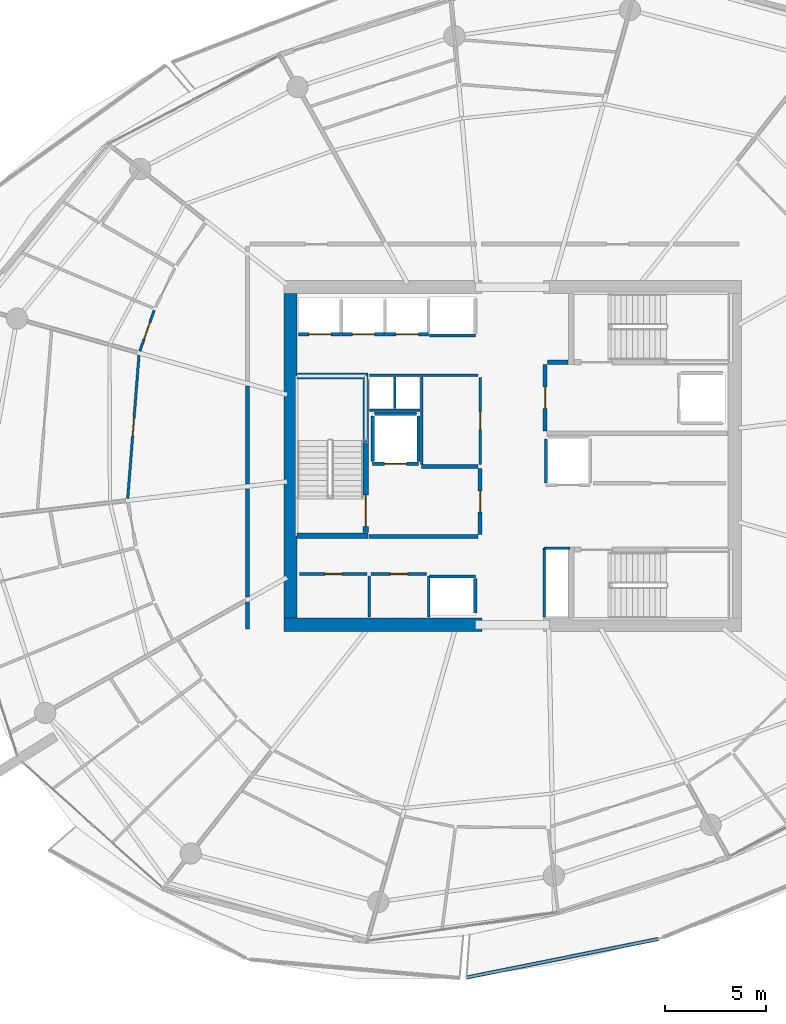
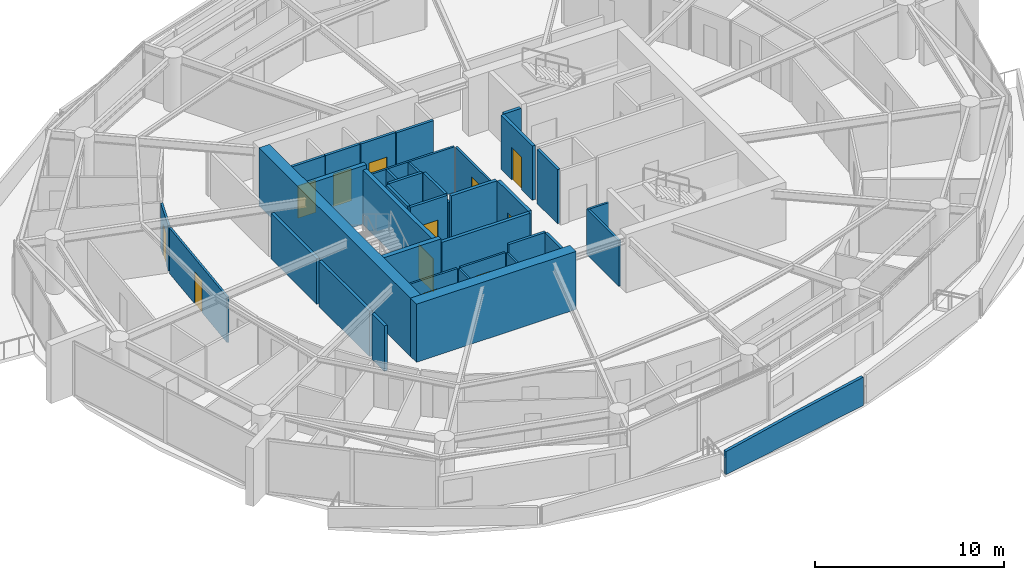
# One storey, part 12 of 21: 38 walls, 12 doors, 12 openings.
"""IFC4 building model written with IfcOpenShell, lengths in metres."""

from ifc_helpers import new_model, si_unit, direction, frame, frame_2d, origin, place, context, subcontext, project, spatial, polyline, rectangle, outline, extrude, material, layer, layer_set, type_object, element, fill, save


model = new_model("IFC4")

# Units and contexts
model_context = context("Model", 3, precision=1e-05, world=origin(), true_north=direction((0.0, 1.0)))
body_context = subcontext(model_context, "Body", "Model", "MODEL_VIEW")
ifc_project = project(units=[si_unit("LENGTHUNIT", "METRE"), si_unit("AREAUNIT", "SQUARE_METRE"), si_unit("VOLUMEUNIT", "CUBIC_METRE"), si_unit("PLANEANGLEUNIT", "RADIAN"), si_unit("MASSUNIT", "GRAM", prefix="KILO")], contexts=[model_context])

# Site, building, storey
site_placement = place(None, origin())
site = spatial("IfcSite", under=ifc_project, at=site_placement, CompositionType="ELEMENT")
building_placement = place(site_placement, origin())
building = spatial("IfcBuilding", under=site, at=building_placement, Name="Kazma Halo Residences", CompositionType="ELEMENT")
storey_placement = place(building_placement, frame((0.0, 0.0, 195.300048828125)))
storey = spatial("IfcBuildingStorey", under=building, at=storey_placement, Name="L49", CompositionType="ELEMENT", Elevation=195.300048828125)

# Walls
ifc_material_1 = material(Name="White Concrete C50/60 Balustrade", Category="concrete")
ifc_layer_1 = layer(ifc_material_1, 0.179931640625)
ifc_layer_set_1 = layer_set([ifc_layer_1], Name="White Concrete C50/60 Balustrade")
wall_type_1 = type_object("IfcWallType", Name="WL-BAL-WAVE-180", PredefinedType="PARAPET", material=ifc_layer_set_1)
wall_1_placement = place(storey_placement, frame((46.1337890625, 16.279296875, 0.0), z_axis=(0.0, 0.0, 1.0), x_axis=(0.980371313285, 0.197160057028, 0.0)))
element("IfcWall", 1, at=wall_1_placement, inside=storey, type_object=wall_type_1, Name="L49 white wave balustrade wall SSE.1", PredefinedType="PARAPET", context=body_context, shape_type="SweptSolid", body=[
    extrude(outline(polyline([(0.0, 0.0), (9.66845703125, 0.0), (9.66845703125, 1.83203125), (4.834228515625, 1.696044921875), (0.0, 1.4970703125), (0.0, 0.0)])), frame((0.0, 0.08984375, 0.0), z_axis=(0.0, -1.0, 0.0), x_axis=(1.0, 0.0, 0.0)), (0.0, 0.0, 1.0), 0.179931640625),
])
ifc_material_2 = material(Name="Concrete C60/75", Category="concrete")
ifc_layer_2 = layer(ifc_material_2, 0.64990234375)
ifc_layer_set_2 = layer_set([ifc_layer_2], Name="Concrete C60/75")
wall_type_2 = type_object("IfcWallType", Name="WL-CORE-650", PredefinedType="SHEAR", material=ifc_layer_set_2)
wall_2_placement = place(storey_placement, frame((37.14990234375, 33.675048828125, 0.0), z_axis=(0.0, 0.0, 1.0), x_axis=(1.0, 0.0, 0.0)))
element("IfcWall", 2, at=wall_2_placement, inside=storey, type_object=wall_type_2, Name="L49 central core shear wall SW", PredefinedType="SHEAR", context=body_context, shape_type="SweptSolid", body=[
    extrude(rectangle(XDim=9.75, YDim=0.64990234375, at=frame_2d((4.875, 0.0))), origin(), (0.0, 0.0, 1.0), 3.75),
])
wall_3_placement = place(storey_placement, frame((37.47509765625, 34.0, 0.0), z_axis=(0.0, 0.0, 1.0), x_axis=(0.0, 1.0, 0.0)))
element("IfcWall", 3, at=wall_3_placement, inside=storey, type_object=wall_type_2, Name="L49 central core shear wall W", PredefinedType="SHEAR", context=body_context, shape_type="SweptSolid", body=[
    extrude(rectangle(XDim=16.0, YDim=0.64990234375, at=frame_2d((8.0, 0.0))), origin(), (0.0, 0.0, 1.0), 3.75),
])
ifc_layer_3 = layer(ifc_material_2, 0.280029296875)
ifc_layer_set_3 = layer_set([ifc_layer_3], Name="Concrete C60/75")
wall_type_3 = type_object("IfcWallType", Name="WL-CORE-ST-280", PredefinedType="SHEAR", material=ifc_layer_set_3)
for number, where, z_axis, x_axis, name in (
    (4, (37.800048828125, 38.06005859375, 0.0), (0.0, 0.0, 1.0), (1.0, 0.0, 0.0), "L49 stairwell bearing wall ST01-S"),
    (5, (37.800048828125, 45.93994140625, 0.0), (0.0, 0.0, 1.0), (1.0, 0.0, 0.0), "L49 stairwell bearing wall ST01-N"),
):
    element("IfcWall", number, at=place(storey_placement, frame(where, z_axis=z_axis, x_axis=x_axis)), inside=storey, type_object=wall_type_3, Name=name, PredefinedType="SHEAR", context=body_context, shape_type="SweptSolid", body=[
        extrude(rectangle(XDim=3.5, YDim=0.280029296875, at=frame_2d((1.75, 0.0))), origin(), (0.0, 0.0, 1.0), 3.75),
    ])
ifc_material_3 = material(Name="Acoustic Twin-Stud Gypsum")
ifc_layer_4 = layer(ifc_material_3, 0.179931640625)
ifc_layer_set_4 = layer_set([ifc_layer_4], Name="Acoustic Twin-Stud Gypsum")
wall_type_4 = type_object("IfcWallType", Name="WL-DEM-180", PredefinedType="PARTITIONING", material=ifc_layer_set_4)
wall_4_placement = place(storey_placement, frame((35.35009765625, 45.44775390625, 0.0), z_axis=(0.0, 0.0, 1.0), x_axis=(0.0, -1.0, 0.0)))
element("IfcWall", 6, at=wall_4_placement, inside=storey, type_object=wall_type_4, Name="L49 Apartment 1 inner wall 6", PredefinedType="PARTITIONING", context=body_context, shape_type="SweptSolid", body=[
    extrude(rectangle(XDim=4.824951171875, YDim=0.179931640625, at=frame_2d((2.41259765625, 0.0))), origin(), (0.0, 0.0, 1.0), 2.93994140625),
])
wall_5_placement = place(storey_placement, frame((35.35009765625, 40.3828125, 0.0), z_axis=(0.0, 0.0, 1.0), x_axis=(0.0, -1.0, 0.0)))
element("IfcWall", 7, at=wall_5_placement, inside=storey, type_object=wall_type_4, Name="L49 Apartment 1 inner wall 7", PredefinedType="PARTITIONING", context=body_context, shape_type="SweptSolid", body=[
    extrude(rectangle(XDim=5.34716796875, YDim=0.179931640625, at=frame_2d((2.673583984375, 0.0))), origin(), (0.0, 0.0, 1.0), 2.93994140625),
])
wall_6_placement = place(storey_placement, frame((35.35009765625, 34.795654296875, 0.0), z_axis=(0.0, 0.0, 1.0), x_axis=(0.0, -1.0, 0.0)))
element("IfcWall", 8, at=wall_6_placement, inside=storey, type_object=wall_type_4, Name="L49 Apartment 2 inner wall 8", PredefinedType="PARTITIONING", context=body_context, shape_type="SweptSolid", body=[
    extrude(rectangle(XDim=1.32568359375, YDim=0.179931640625, at=frame_2d((0.662841796875, 0.0))), origin(), (0.0, 0.0, 1.0), 2.93994140625),
])

# Wall, opening, door
ifc_material_4 = material(Name="Fire-Rated Blockwork Masonry", Category="masonry")
ifc_layer_5 = layer(ifc_material_4, 0.199951171875)
ifc_layer_set_5 = layer_set([ifc_layer_5], Name="Fire-Rated Blockwork Masonry")
wall_type_5 = type_object("IfcWallType", Name="WL-FLB-200", PredefinedType="PARTITIONING", material=ifc_layer_set_5)
wall_7_placement = place(storey_placement, frame((39.97509765625, 47.9951171875, 0.0), z_axis=(0.0, 0.0, 1.0), x_axis=(-1.0, 0.0, 0.0)))
wall_7 = element("IfcWall", 9, at=wall_7_placement, inside=storey, type_object=wall_type_5, Name="L49 lift shaft PM-01 front wall", PredefinedType="PARTITIONING", context=body_context, shape_type="SweptSolid", body=[
    extrude(rectangle(XDim=2.110107421875, YDim=0.159912109375, at=frame_2d((1.05517578125, 0.0))), origin(), (0.0, 0.0, 1.0), 3.5),
])
opening_1_placement = place(wall_7_placement, frame((0.5048828125, 0.0, 0.0)))
opening_1 = element("IfcOpeningElement", 10, at=opening_1_placement, cuts=wall_7, Name="Opening LD-PM-01", PredefinedType="OPENING", context=body_context, shape_type="SweptSolid", body=[
    extrude(rectangle(XDim=1.10009765625, YDim=2.10009765625, at=frame_2d((0.550048828125, 1.050048828125))), frame((0.0, 0.08984375, 0.0), z_axis=(0.0, -1.0, 0.0), x_axis=(1.0, 0.0, 0.0)), (0.0, 0.0, 1.0), 0.179931640625),
])
ifc_material_5 = material(Name="Stainless Steel Fire-Rated", Category="steel")
door_type_1 = type_object("IfcDoorType", Name="DR-LIFT-SLD-1100", OperationType="DOUBLE_DOOR_SLIDING", PredefinedType="DOOR", material=ifc_material_5)
door_1_placement = place(opening_1_placement, origin())
door_1 = element("IfcDoor", 11, at=door_1_placement, inside=storey, type_object=door_type_1, Name="L49 lift PM-01 sliding landing door", OperationType="DOUBLE_DOOR_SLIDING", OverallHeight=2.10009765625, OverallWidth=1.10009765625, PredefinedType="DOOR", context=body_context, shape_type="SweptSolid", body=[
    extrude(rectangle(XDim=1.10009765625, YDim=2.10009765625, at=frame_2d((0.550048828125, 1.050048828125))), frame((0.0, 0.02490234375, 0.0), z_axis=(0.0, -1.0, 0.0), x_axis=(1.0, 0.0, 0.0)), (0.0, 0.0, 1.0), 0.050048828125),
])
fill(opening_1, door_1)

wall_8_placement = place(storey_placement, frame((42.125, 47.9951171875, 0.0), z_axis=(0.0, 0.0, 1.0), x_axis=(-1.0, 0.0, 0.0)))
wall_8 = element("IfcWall", 12, at=wall_8_placement, inside=storey, type_object=wall_type_5, Name="L49 lift shaft PM-02 front wall", PredefinedType="PARTITIONING", context=body_context, shape_type="SweptSolid", body=[
    extrude(rectangle(XDim=2.110107421875, YDim=0.159912109375, at=frame_2d((1.05517578125, 0.0))), origin(), (0.0, 0.0, 1.0), 3.5),
])
opening_2_placement = place(wall_8_placement, frame((0.5048828125, 0.0, 0.0)))
opening_2 = element("IfcOpeningElement", 13, at=opening_2_placement, cuts=wall_8, Name="Opening LD-PM-02", PredefinedType="OPENING", context=body_context, shape_type="SweptSolid", body=[
    extrude(rectangle(XDim=1.10009765625, YDim=2.10009765625, at=frame_2d((0.550048828125, 1.050048828125))), frame((0.0, 0.08984375, 0.0), z_axis=(0.0, -1.0, 0.0), x_axis=(1.0, 0.0, 0.0)), (0.0, 0.0, 1.0), 0.179931640625),
])
door_2_placement = place(opening_2_placement, origin())
door_2 = element("IfcDoor", 14, at=door_2_placement, inside=storey, type_object=door_type_1, Name="L49 lift PM-02 sliding landing door", OperationType="DOUBLE_DOOR_SLIDING", OverallHeight=2.10009765625, OverallWidth=1.10009765625, PredefinedType="DOOR", context=body_context, shape_type="SweptSolid", body=[
    extrude(rectangle(XDim=1.10009765625, YDim=2.10009765625, at=frame_2d((0.550048828125, 1.050048828125))), frame((0.0, 0.02490234375, 0.0), z_axis=(0.0, -1.0, 0.0), x_axis=(1.0, 0.0, 0.0)), (0.0, 0.0, 1.0), 0.050048828125),
])
fill(opening_2, door_2)

wall_9_placement = place(storey_placement, frame((44.27490234375, 47.9951171875, 0.0), z_axis=(0.0, 0.0, 1.0), x_axis=(-1.0, 0.0, 0.0)))
wall_9 = element("IfcWall", 15, at=wall_9_placement, inside=storey, type_object=wall_type_5, Name="L49 lift shaft PM-03 front wall", PredefinedType="PARTITIONING", context=body_context, shape_type="SweptSolid", body=[
    extrude(rectangle(XDim=2.10986328125, YDim=0.159912109375, at=frame_2d((1.054931640625, 0.0))), origin(), (0.0, 0.0, 1.0), 3.5),
])
opening_3_placement = place(wall_9_placement, frame((0.5048828125, 0.0, 0.0)))
opening_3 = element("IfcOpeningElement", 16, at=opening_3_placement, cuts=wall_9, Name="Opening LD-PM-03", PredefinedType="OPENING", context=body_context, shape_type="SweptSolid", body=[
    extrude(rectangle(XDim=1.10009765625, YDim=2.10009765625, at=frame_2d((0.550048828125, 1.050048828125))), frame((0.0, 0.08984375, 0.0), z_axis=(0.0, -1.0, 0.0), x_axis=(1.0, 0.0, 0.0)), (0.0, 0.0, 1.0), 0.179931640625),
])
door_3_placement = place(opening_3_placement, origin())
door_3 = element("IfcDoor", 17, at=door_3_placement, inside=storey, type_object=door_type_1, Name="L49 lift PM-03 sliding landing door", OperationType="DOUBLE_DOOR_SLIDING", OverallHeight=2.10009765625, OverallWidth=1.10009765625, PredefinedType="DOOR", context=body_context, shape_type="SweptSolid", body=[
    extrude(rectangle(XDim=1.10009765625, YDim=2.10009765625, at=frame_2d((0.550048828125, 1.050048828125))), frame((0.0, 0.02490234375, 0.0), z_axis=(0.0, -1.0, 0.0), x_axis=(1.0, 0.0, 0.0)), (0.0, 0.0, 1.0), 0.050048828125),
])
fill(opening_3, door_3)

# Walls
for number, where, z_axis, x_axis, name in (
    (18, (46.580078125, 47.945068359375, 0.0), (0.0, 0.0, 1.0), (-1.0, 0.0, 0.0), "L49 lift shaft PX-01 front wall"),
    (19, (44.320068359375, 36.054931640625, 0.0), (0.0, 0.0, 1.0), (1.0, 0.0, 0.0), "L49 lift shaft PX-02 front wall"),
):
    element("IfcWall", number, at=place(storey_placement, frame(where, z_axis=z_axis, x_axis=x_axis)), inside=storey, type_object=wall_type_5, Name=name, PredefinedType="PARTITIONING", context=body_context, shape_type="SweptSolid", body=[
        extrude(rectangle(XDim=2.260009765625, YDim=0.159912109375, at=frame_2d((1.1298828125, 0.0))), origin(), (0.0, 0.0, 1.0), 3.5),
    ])
wall_10_placement = place(storey_placement, frame((46.580078125, 34.2451171875, 0.0), z_axis=(0.0, 0.0, 1.0), x_axis=(0.0, 1.0, 0.0)))
element("IfcWall", 20, at=wall_10_placement, inside=storey, type_object=wall_type_5, Name="L49 lift shaft PX-02 side wall E", PredefinedType="PARTITIONING", context=body_context, shape_type="SweptSolid", body=[
    extrude(rectangle(XDim=1.7099609375, YDim=0.159912109375, at=frame_2d((0.85498046875, 0.0))), origin(), (0.0, 0.0, 1.0), 3.5),
])

# Wall, opening, door
wall_11_placement = place(storey_placement, frame((43.780029296875, 41.6201171875, 0.0), z_axis=(0.0, 0.0, 1.0), x_axis=(-1.0, 0.0, 0.0)))
wall_11 = element("IfcWall", 21, at=wall_11_placement, inside=storey, type_object=wall_type_5, Name="L49 lift shaft FL-01 front wall", PredefinedType="PARTITIONING", context=body_context, shape_type="SweptSolid", body=[
    extrude(rectangle(XDim=2.260009765625, YDim=0.159912109375, at=frame_2d((1.1298828125, 0.0))), origin(), (0.0, 0.0, 1.0), 3.5),
])
opening_4_placement = place(wall_11_placement, frame((0.580078125, 0.0, 0.0)))
opening_4 = element("IfcOpeningElement", 22, at=opening_4_placement, cuts=wall_11, Name="Opening LD-FL-01", PredefinedType="OPENING", context=body_context, shape_type="SweptSolid", body=[
    extrude(rectangle(XDim=1.10009765625, YDim=2.10009765625, at=frame_2d((0.550048828125, 1.050048828125))), frame((0.0, 0.08984375, 0.0), z_axis=(0.0, -1.0, 0.0), x_axis=(1.0, 0.0, 0.0)), (0.0, 0.0, 1.0), 0.179931640625),
])
door_4_placement = place(opening_4_placement, origin())
door_4 = element("IfcDoor", 23, at=door_4_placement, inside=storey, type_object=door_type_1, Name="L49 lift FL-01 sliding landing door", OperationType="DOUBLE_DOOR_SLIDING", OverallHeight=2.10009765625, OverallWidth=1.10009765625, PredefinedType="DOOR", context=body_context, shape_type="SweptSolid", body=[
    extrude(rectangle(XDim=1.10009765625, YDim=2.10009765625, at=frame_2d((0.550048828125, 1.050048828125))), frame((0.0, 0.02490234375, 0.0), z_axis=(0.0, -1.0, 0.0), x_axis=(1.0, 0.0, 0.0)), (0.0, 0.0, 1.0), 0.050048828125),
])
fill(opening_4, door_4)

# Walls
for number, where, z_axis, x_axis, name in (
    (24, (43.780029296875, 41.719970703125, 0.0), (0.0, 0.0, 1.0), (0.0, 1.0, 0.0), "L49 lift shaft FL-01 side wall E"),
    (25, (41.52001953125, 41.719970703125, 0.0), (0.0, 0.0, 1.0), (0.0, 1.0, 0.0), "L49 lift shaft FL-01 side wall W"),
):
    element("IfcWall", number, at=place(storey_placement, frame(where, z_axis=z_axis, x_axis=x_axis)), inside=storey, type_object=wall_type_5, Name=name, PredefinedType="PARTITIONING", context=body_context, shape_type="SweptSolid", body=[
        extrude(rectangle(XDim=2.260009765625, YDim=0.159912109375, at=frame_2d((1.1298828125, 0.0))), origin(), (0.0, 0.0, 1.0), 3.5),
    ])
wall_12_placement = place(storey_placement, frame((41.6201171875, 44.080078125, 0.0), z_axis=(0.0, 0.0, 1.0), x_axis=(1.0, 0.0, 0.0)))
element("IfcWall", 26, at=wall_12_placement, inside=storey, type_object=wall_type_5, Name="L49 lift shaft FL-01 side wall N", PredefinedType="PARTITIONING", context=body_context, shape_type="SweptSolid", body=[
    extrude(rectangle(XDim=2.059814453125, YDim=0.159912109375, at=frame_2d((1.02978515625, 0.0))), origin(), (0.0, 0.0, 1.0), 3.5),
])
wall_13_placement = place(storey_placement, frame((50.070068359375, 40.669921875, 0.0), z_axis=(0.0, 0.0, 1.0), x_axis=(0.0, 1.0, 0.0)))
element("IfcWall", 27, at=wall_13_placement, inside=storey, type_object=wall_type_5, Name="L49 lift shaft SV-01 side wall W", PredefinedType="PARTITIONING", context=body_context, shape_type="SweptSolid", body=[
    extrude(rectangle(XDim=2.16015625, YDim=0.159912109375, at=frame_2d((1.080078125, 0.0))), origin(), (0.0, 0.0, 1.0), 3.5),
])
wall_14_placement = place(storey_placement, frame((41.35009765625, 38.02001953125, 0.0), z_axis=(0.0, 0.0, 1.0), x_axis=(1.0, 0.0, 0.0)))
element("IfcWall", 28, at=wall_14_placement, inside=storey, type_object=wall_type_5, Name="L49 west firefighting lobby south smoke wall", PredefinedType="PARTITIONING", context=body_context, shape_type="SweptSolid", body=[
    extrude(rectangle(XDim=5.369873046875, YDim=0.199951171875, at=frame_2d((2.68505859375, 0.0))), origin(), (0.0, 0.0, 1.0), 3.5),
])
wall_15_placement = place(storey_placement, frame((43.919921875, 41.47998046875, 0.0), z_axis=(0.0, 0.0, 1.0), x_axis=(1.0, 0.0, 0.0)))
element("IfcWall", 29, at=wall_15_placement, inside=storey, type_object=wall_type_5, Name="L49 west firefighting lobby north smoke wall", PredefinedType="PARTITIONING", context=body_context, shape_type="SweptSolid", body=[
    extrude(rectangle(XDim=2.800048828125, YDim=0.199951171875, at=frame_2d((1.39990234375, 0.0))), origin(), (0.0, 0.0, 1.0), 3.5),
])

# Wall, opening, door
wall_16_placement = place(storey_placement, frame((46.820068359375, 38.1201171875, 0.0), z_axis=(0.0, 0.0, 1.0), x_axis=(0.0, 1.0, 0.0)))
wall_16 = element("IfcWall", 30, at=wall_16_placement, inside=storey, type_object=wall_type_5, Name="L49 west firefighting lobby smoke wall", PredefinedType="PARTITIONING", context=body_context, shape_type="SweptSolid", body=[
    extrude(rectangle(XDim=3.259765625, YDim=0.199951171875, at=frame_2d((1.6298828125, 0.0))), origin(), (0.0, 0.0, 1.0), 3.5),
])
opening_5_placement = place(wall_16_placement, frame((1.10498046875, 0.0, 0.0)))
opening_5 = element("IfcOpeningElement", 31, at=opening_5_placement, cuts=wall_16, Name="Opening D-FLW", PredefinedType="OPENING", context=body_context, shape_type="SweptSolid", body=[
    extrude(rectangle(XDim=1.050048828125, YDim=2.10009765625, at=frame_2d((0.52490234375, 1.050048828125))), frame((0.0, 0.10986328125, 0.0), z_axis=(0.0, -1.0, 0.0), x_axis=(1.0, 0.0, 0.0)), (0.0, 0.0, 1.0), 0.219970703125),
])
ifc_material_6 = material(Name="Fire-Rated Steel Leaf", Category="steel")
door_type_2 = type_object("IfcDoorType", Name="DR-FD90-1050", OperationType="NOTDEFINED", PredefinedType="DOOR", material=ifc_material_6)
door_5_placement = place(opening_5_placement, origin())
door_5 = element("IfcDoor", 32, at=door_5_placement, inside=storey, type_object=door_type_2, Name="L49 west firefighting lobby smoke door", OperationType="SINGLE_SWING_RIGHT", OverallHeight=2.10009765625, OverallWidth=1.050048828125, PredefinedType="DOOR", context=body_context, shape_type="SweptSolid", body=[
    extrude(rectangle(XDim=1.050048828125, YDim=2.10009765625, at=frame_2d((0.52490234375, 1.050048828125))), frame((0.0, 0.02490234375, 0.0), z_axis=(0.0, -1.0, 0.0), x_axis=(1.0, 0.0, 0.0)), (0.0, 0.0, 1.0), 0.050048828125),
])
fill(opening_5, door_5)

# Wall
wall_17_placement = place(storey_placement, frame((50.139892578125, 46.6201171875, 0.0), z_axis=(0.0, 0.0, 1.0), x_axis=(1.0, 0.0, 0.0)))
element("IfcWall", 33, at=wall_17_placement, inside=storey, type_object=wall_type_5, Name="L49 east firefighting lobby north closure wall", PredefinedType="PARTITIONING", context=body_context, shape_type="SweptSolid", body=[
    extrude(rectangle(XDim=1.02001953125, YDim=0.199951171875, at=frame_2d((0.510009765625, 0.0))), origin(), (0.0, 0.0, 1.0), 3.5),
])

# Wall, opening, door
wall_18_placement = place(storey_placement, frame((50.02001953125, 43.219970703125, 0.0), z_axis=(0.0, 0.0, 1.0), x_axis=(0.0, 1.0, 0.0)))
wall_18 = element("IfcWall", 34, at=wall_18_placement, inside=storey, type_object=wall_type_5, Name="L49 east firefighting lobby smoke wall", PredefinedType="PARTITIONING", context=body_context, shape_type="SweptSolid", body=[
    extrude(rectangle(XDim=3.300048828125, YDim=0.199951171875, at=frame_2d((1.64990234375, 0.0))), origin(), (0.0, 0.0, 1.0), 3.5),
])
opening_6_placement = place(wall_18_placement, frame((1.125, 0.0, 0.0)))
opening_6 = element("IfcOpeningElement", 35, at=opening_6_placement, cuts=wall_18, Name="Opening D-FLE", PredefinedType="OPENING", context=body_context, shape_type="SweptSolid", body=[
    extrude(rectangle(XDim=1.050048828125, YDim=2.10009765625, at=frame_2d((0.52490234375, 1.050048828125))), frame((0.0, 0.10986328125, 0.0), z_axis=(0.0, -1.0, 0.0), x_axis=(1.0, 0.0, 0.0)), (0.0, 0.0, 1.0), 0.219970703125),
])
door_6_placement = place(opening_6_placement, origin())
door_6 = element("IfcDoor", 36, at=door_6_placement, inside=storey, type_object=door_type_2, Name="L49 east firefighting lobby smoke door", OperationType="SINGLE_SWING_LEFT", OverallHeight=2.10009765625, OverallWidth=1.050048828125, PredefinedType="DOOR", context=body_context, shape_type="SweptSolid", body=[
    extrude(rectangle(XDim=1.050048828125, YDim=2.10009765625, at=frame_2d((0.52490234375, 1.050048828125))), frame((0.0, 0.02490234375, 0.0), z_axis=(0.0, -1.0, 0.0), x_axis=(1.0, 0.0, 0.0)), (0.0, 0.0, 1.0), 0.050048828125),
])
fill(opening_6, door_6)

# Walls
ifc_material_7 = material(Name="Gypsum Plasterboard Partition")
ifc_layer_6 = layer(ifc_material_7, 0.125)
ifc_layer_set_6 = layer_set([ifc_layer_6], Name="Gypsum Plasterboard Partition")
wall_type_6 = type_object("IfcWallType", Name="WL-PART-125", PredefinedType="PARTITIONING", material=ifc_layer_set_6)
for number, where, z_axis, x_axis, name in (
    (37, (44.280029296875, 34.050048828125, 0.0), (0.0, 0.0, 1.0), (0.0, 1.0, 0.0), "L49 reclaimed south east wall"),
    (38, (41.35009765625, 34.050048828125, 0.0), (0.0, 0.0, 1.0), (0.0, 1.0, 0.0), "L49 reclaimed south divider wall"),
):
    element("IfcWall", number, at=place(storey_placement, frame(where, z_axis=z_axis, x_axis=x_axis)), inside=storey, type_object=wall_type_6, Name=name, PredefinedType="PARTITIONING", context=body_context, shape_type="SweptSolid", body=[
        extrude(rectangle(XDim=2.030029296875, YDim=0.125, at=frame_2d((1.01513671875, 0.0))), origin(), (0.0, 0.0, 1.0), 2.93994140625),
    ])

# Wall, opening, door
wall_19_placement = place(storey_placement, frame((37.919921875, 36.179931640625, 0.0), z_axis=(0.0, 0.0, 1.0), x_axis=(1.0, 0.0, 0.0)))
wall_19 = element("IfcWall", 39, at=wall_19_placement, inside=storey, type_object=wall_type_6, Name="L49 reclaimed south W front wall", PredefinedType="PARTITIONING", context=body_context, shape_type="SweptSolid", body=[
    extrude(rectangle(XDim=3.330078125, YDim=0.125, at=frame_2d((1.6650390625, 0.0))), origin(), (0.0, 0.0, 1.0), 2.93994140625),
])
opening_7_placement = place(wall_19_placement, frame((1.239990234375, 0.0, 0.0)))
opening_7 = element("IfcOpeningElement", 40, at=opening_7_placement, cuts=wall_19, Name="Opening DS-850", PredefinedType="OPENING", context=body_context, shape_type="SweptSolid", body=[
    extrude(rectangle(XDim=0.85009765625, YDim=2.06005859375, at=frame_2d((0.425048828125, 1.030029296875))), frame((0.0, 0.072509765625, 0.0), z_axis=(0.0, -1.0, 0.0), x_axis=(1.0, 0.0, 0.0)), (0.0, 0.0, 1.0), 0.14501953125),
])
ifc_material_8 = material(Name="Painted Steel Access Leaf", Category="steel")
door_type_3 = type_object("IfcDoorType", Name="DR-SVC-850", OperationType="NOTDEFINED", PredefinedType="DOOR", material=ifc_material_8)
door_7_placement = place(opening_7_placement, origin())
door_7 = element("IfcDoor", 41, at=door_7_placement, inside=storey, type_object=door_type_3, Name="L49 reclaimed south W door", OperationType="SINGLE_SWING_RIGHT", OverallHeight=2.06005859375, OverallWidth=0.85009765625, PredefinedType="DOOR", context=body_context, shape_type="SweptSolid", body=[
    extrude(rectangle(XDim=0.85009765625, YDim=2.06005859375, at=frame_2d((0.425048828125, 1.030029296875))), frame((0.0, 0.02490234375, 0.0), z_axis=(0.0, -1.0, 0.0), x_axis=(1.0, 0.0, 0.0)), (0.0, 0.0, 1.0), 0.050048828125),
])
fill(opening_7, door_7)

wall_20_placement = place(storey_placement, frame((41.449951171875, 36.179931640625, 0.0), z_axis=(0.0, 0.0, 1.0), x_axis=(1.0, 0.0, 0.0)))
wall_20 = element("IfcWall", 42, at=wall_20_placement, inside=storey, type_object=wall_type_6, Name="L49 reclaimed south E front wall", PredefinedType="PARTITIONING", context=body_context, shape_type="SweptSolid", body=[
    extrude(rectangle(XDim=2.72998046875, YDim=0.125, at=frame_2d((1.364990234375, 0.0))), origin(), (0.0, 0.0, 1.0), 2.93994140625),
])
opening_8_placement = place(wall_20_placement, frame((0.93994140625, 0.0, 0.0)))
opening_8 = element("IfcOpeningElement", 43, at=opening_8_placement, cuts=wall_20, Name="Opening DS-850", PredefinedType="OPENING", context=body_context, shape_type="SweptSolid", body=[
    extrude(rectangle(XDim=0.85009765625, YDim=2.06005859375, at=frame_2d((0.425048828125, 1.030029296875))), frame((0.0, 0.072509765625, 0.0), z_axis=(0.0, -1.0, 0.0), x_axis=(1.0, 0.0, 0.0)), (0.0, 0.0, 1.0), 0.14501953125),
])
door_8_placement = place(opening_8_placement, origin())
door_8 = element("IfcDoor", 44, at=door_8_placement, inside=storey, type_object=door_type_3, Name="L49 reclaimed south E door", OperationType="SINGLE_SWING_LEFT", OverallHeight=2.06005859375, OverallWidth=0.85009765625, PredefinedType="DOOR", context=body_context, shape_type="SweptSolid", body=[
    extrude(rectangle(XDim=0.85009765625, YDim=2.06005859375, at=frame_2d((0.425048828125, 1.030029296875))), frame((0.0, 0.02490234375, 0.0), z_axis=(0.0, -1.0, 0.0), x_axis=(1.0, 0.0, 0.0)), (0.0, 0.0, 1.0), 0.050048828125),
])
fill(opening_8, door_8)

# Walls
wall_21_placement = place(storey_placement, frame((41.360107421875, 45.97998046875, 0.0), z_axis=(0.0, 0.0, 1.0), x_axis=(1.0, 0.0, 0.0)))
element("IfcWall", 45, at=wall_21_placement, inside=storey, type_object=wall_type_6, Name="L49 core north riser wall", PredefinedType="PARTITIONING", context=body_context, shape_type="SweptSolid", body=[
    extrude(rectangle(XDim=5.35986328125, YDim=0.125, at=frame_2d((2.679931640625, 0.0))), origin(), (0.0, 0.0, 1.0), 2.93994140625),
])
wall_22_placement = place(storey_placement, frame((41.360107421875, 44.260009765625, 0.0), z_axis=(0.0, 0.0, 1.0), x_axis=(1.0, 0.0, 0.0)))
element("IfcWall", 46, at=wall_22_placement, inside=storey, type_object=wall_type_6, Name="L49 core riser south wall", PredefinedType="PARTITIONING", context=body_context, shape_type="SweptSolid", body=[
    extrude(rectangle(XDim=2.5, YDim=0.125, at=frame_2d((1.25, 0.0))), origin(), (0.0, 0.0, 1.0), 2.93994140625),
])
wall_23_placement = place(storey_placement, frame((42.60009765625, 44.35009765625, 0.0), z_axis=(0.0, 0.0, 1.0), x_axis=(0.0, 1.0, 0.0)))
element("IfcWall", 47, at=wall_23_placement, inside=storey, type_object=wall_type_6, Name="L49 core riser divider wall", PredefinedType="PARTITIONING", context=body_context, shape_type="SweptSolid", body=[
    extrude(rectangle(XDim=1.5498046875, YDim=0.125, at=frame_2d((0.77490234375, 0.0))), origin(), (0.0, 0.0, 1.0), 2.93994140625),
])
wall_24_placement = place(storey_placement, frame((49.97998046875, 34.06005859375, 0.0), z_axis=(0.0, 0.0, 1.0), x_axis=(0.0, 1.0, 0.0)))
element("IfcWall", 48, at=wall_24_placement, inside=storey, type_object=wall_type_6, Name="L49 standpipe riser wall", PredefinedType="PARTITIONING", context=body_context, shape_type="SweptSolid", body=[
    extrude(rectangle(XDim=3.39990234375, YDim=0.125, at=frame_2d((1.699951171875, 0.0))), origin(), (0.0, 0.0, 1.0), 2.93994140625),
])
wall_25_placement = place(storey_placement, frame((49.97998046875, 37.43994140625, 0.0), z_axis=(0.0, 0.0, 1.0), x_axis=(1.0, 0.0, 0.0)))
element("IfcWall", 49, at=wall_25_placement, inside=storey, type_object=wall_type_6, Name="L49 standpipe riser north wall", PredefinedType="PARTITIONING", context=body_context, shape_type="SweptSolid", body=[
    extrude(rectangle(XDim=1.260009765625, YDim=0.125, at=frame_2d((0.6298828125, 0.0))), origin(), (0.0, 0.0, 1.0), 2.93994140625),
])
wall_26_placement = place(storey_placement, frame((43.949951171875, 41.580078125, 0.0), z_axis=(0.0, 0.0, 1.0), x_axis=(0.0, 1.0, 0.0)))
element("IfcWall", 50, at=wall_26_placement, inside=storey, type_object=wall_type_6, Name="L49 core service west wall", PredefinedType="PARTITIONING", context=body_context, shape_type="SweptSolid", body=[
    extrude(rectangle(XDim=4.31982421875, YDim=0.125, at=frame_2d((2.159912109375, 0.0))), origin(), (0.0, 0.0, 1.0), 2.93994140625),
])

# Wall, opening, door
wall_27_placement = place(storey_placement, frame((46.820068359375, 41.580078125, 0.0), z_axis=(0.0, 0.0, 1.0), x_axis=(0.0, 1.0, 0.0)))
wall_27 = element("IfcWall", 51, at=wall_27_placement, inside=storey, type_object=wall_type_6, Name="L49 core service room east wall", PredefinedType="PARTITIONING", context=body_context, shape_type="SweptSolid", body=[
    extrude(rectangle(XDim=4.2998046875, YDim=0.125, at=frame_2d((2.14990234375, 0.0))), origin(), (0.0, 0.0, 1.0), 2.93994140625),
])
opening_9_placement = place(wall_27_placement, frame((1.72509765625, 0.0, 0.0)))
opening_9 = element("IfcOpeningElement", 52, at=opening_9_placement, cuts=wall_27, Name="Opening DS-850", PredefinedType="OPENING", context=body_context, shape_type="SweptSolid", body=[
    extrude(rectangle(XDim=0.85009765625, YDim=2.06005859375, at=frame_2d((0.425048828125, 1.030029296875))), frame((0.0, 0.072509765625, 0.0), z_axis=(0.0, -1.0, 0.0), x_axis=(1.0, 0.0, 0.0)), (0.0, 0.0, 1.0), 0.14501953125),
])
door_9_placement = place(opening_9_placement, origin())
door_9 = element("IfcDoor", 53, at=door_9_placement, inside=storey, type_object=door_type_3, Name="L49 core service room door", OperationType="SINGLE_SWING_RIGHT", OverallHeight=2.06005859375, OverallWidth=0.85009765625, PredefinedType="DOOR", context=body_context, shape_type="SweptSolid", body=[
    extrude(rectangle(XDim=0.85009765625, YDim=2.06005859375, at=frame_2d((0.425048828125, 1.030029296875))), frame((0.0, 0.02490234375, 0.0), z_axis=(0.0, -1.0, 0.0), x_axis=(1.0, 0.0, 0.0)), (0.0, 0.0, 1.0), 0.050048828125),
])
fill(opening_9, door_9)

wall_28_placement = place(storey_placement, frame((30.74658203125, 49.183349609375, 0.0), z_axis=(0.0, 0.0, 1.0), x_axis=(-0.330533820554, -0.943794147825, 0.0)))
wall_28 = element("IfcWall", 54, at=wall_28_placement, inside=storey, type_object=wall_type_6, Name="L49 Apartment 1 Primary Bedroom hall wall", PredefinedType="PARTITIONING", context=body_context, shape_type="SweptSolid", body=[
    extrude(rectangle(XDim=2.134521484375, YDim=0.125, at=frame_2d((1.0673828125, 0.0))), origin(), (0.0, 0.0, 1.0), 2.93994140625),
])
opening_10_placement = place(wall_28_placement, frame((0.642333984375, 0.0, 0.0)))
opening_10 = element("IfcOpeningElement", 55, at=opening_10_placement, cuts=wall_28, Name="Opening DB-900", PredefinedType="OPENING", context=body_context, shape_type="SweptSolid", body=[
    extrude(rectangle(XDim=0.85009765625, YDim=2.06005859375, at=frame_2d((0.425048828125, 1.030029296875))), frame((0.0, 0.072509765625, 0.0), z_axis=(0.0, -1.0, 0.0), x_axis=(1.0, 0.0, 0.0)), (0.0, 0.0, 1.0), 0.14501953125),
])
ifc_material_9 = material(Name="Moisture-Sealed Timber Leaf", Category="wood")
door_type_4 = type_object("IfcDoorType", Name="DR-BTH-900", OperationType="NOTDEFINED", PredefinedType="DOOR", material=ifc_material_9)
door_10_placement = place(opening_10_placement, origin())
door_10 = element("IfcDoor", 56, at=door_10_placement, inside=storey, type_object=door_type_4, Name="L49 Apartment 1 Primary Bedroom door", OperationType="SINGLE_SWING_RIGHT", OverallHeight=2.06005859375, OverallWidth=0.85009765625, PredefinedType="DOOR", context=body_context, shape_type="SweptSolid", body=[
    extrude(rectangle(XDim=0.85009765625, YDim=2.06005859375, at=frame_2d((0.425048828125, 1.030029296875))), frame((0.0, 0.02490234375, 0.0), z_axis=(0.0, -1.0, 0.0), x_axis=(1.0, 0.0, 0.0)), (0.0, 0.0, 1.0), 0.050048828125),
])
fill(opening_10, door_10)

wall_29_placement = place(storey_placement, frame((29.999267578125, 46.964599609375, 0.0), z_axis=(0.0, 0.0, 1.0), x_axis=(-0.07848314737, -0.996915440536, 0.0)))
wall_29 = element("IfcWall", 57, at=wall_29_placement, inside=storey, type_object=wall_type_6, Name="L49 Apartment 1 Primary Study hall wall", PredefinedType="PARTITIONING", context=body_context, shape_type="SweptSolid", body=[
    extrude(rectangle(XDim=7.07373046875, YDim=0.125, at=frame_2d((3.536865234375, 0.0))), origin(), (0.0, 0.0, 1.0), 2.93994140625),
])
opening_11_placement = place(wall_29_placement, frame((3.0869140625, 0.0, 0.0)))
opening_11 = element("IfcOpeningElement", 58, at=opening_11_placement, cuts=wall_29, Name="Opening DI-950", PredefinedType="OPENING", context=body_context, shape_type="SweptSolid", body=[
    extrude(rectangle(XDim=0.89990234375, YDim=2.080078125, at=frame_2d((0.449951171875, 1.0400390625))), frame((0.0, 0.072509765625, 0.0), z_axis=(0.0, -1.0, 0.0), x_axis=(1.0, 0.0, 0.0)), (0.0, 0.0, 1.0), 0.14501953125),
])
ifc_material_10 = material(Name="Timber Veneer Flush Leaf", Category="wood")
door_type_5 = type_object("IfcDoorType", Name="DR-INT-950", OperationType="NOTDEFINED", PredefinedType="DOOR", material=ifc_material_10)
door_11_placement = place(opening_11_placement, origin())
door_11 = element("IfcDoor", 59, at=door_11_placement, inside=storey, type_object=door_type_5, Name="L49 Apartment 1 Primary Study door", OperationType="SINGLE_SWING_RIGHT", OverallHeight=2.080078125, OverallWidth=0.89990234375, PredefinedType="DOOR", context=body_context, shape_type="SweptSolid", body=[
    extrude(rectangle(XDim=0.89990234375, YDim=2.080078125, at=frame_2d((0.449951171875, 1.0400390625))), frame((0.0, 0.02490234375, 0.0), z_axis=(0.0, -1.0, 0.0), x_axis=(1.0, 0.0, 0.0)), (0.0, 0.0, 1.0), 0.050048828125),
])
fill(opening_11, door_11)

ifc_material_11 = material(Name="Concrete C50/60", Category="concrete")
ifc_layer_7 = layer(ifc_material_11, 0.25)
ifc_layer_set_7 = layer_set([ifc_layer_7], Name="Concrete C50/60")
wall_type_7 = type_object("IfcWallType", Name="WL-SHF-250", PredefinedType="SOLIDWALL", material=ifc_layer_set_7)
wall_30_placement = place(storey_placement, frame((41.179931640625, 38.219970703125, 0.0), z_axis=(0.0, 0.0, 1.0), x_axis=(0.0, 1.0, 0.0)))
wall_30 = element("IfcWall", 60, at=wall_30_placement, inside=storey, type_object=wall_type_7, Name="L49 exit stair ST-01 enclosure wall", PredefinedType="SOLIDWALL", context=body_context, shape_type="SweptSolid", body=[
    extrude(rectangle(XDim=7.56005859375, YDim=0.25, at=frame_2d((3.780029296875, 0.0))), origin(), (0.0, 0.0, 1.0), 3.5),
])
opening_12_placement = place(wall_30_placement, frame((0.300048828125, 0.0, 0.0)))
opening_12 = element("IfcOpeningElement", 61, at=opening_12_placement, cuts=wall_30, Name="Opening D-ST1", PredefinedType="OPENING", context=body_context, shape_type="SweptSolid", body=[
    extrude(rectangle(XDim=1.550048828125, YDim=2.14990234375, at=frame_2d((0.77490234375, 1.074951171875))), frame((0.0, 0.135009765625, 0.0), z_axis=(0.0, -1.0, 0.0), x_axis=(1.0, 0.0, 0.0)), (0.0, 0.0, 1.0), 0.27001953125),
])
ifc_material_12 = material(Name="Fire-Rated Double Steel Leaf", Category="steel")
door_type_6 = type_object("IfcDoorType", Name="DR-FD90-1550", OperationType="NOTDEFINED", PredefinedType="DOOR", material=ifc_material_12)
door_12_placement = place(opening_12_placement, origin())
door_12 = element("IfcDoor", 62, at=door_12_placement, inside=storey, type_object=door_type_6, Name="L49 exit stair ST-01 fire door", OperationType="DOUBLE_DOOR_SINGLE_SWING", OverallHeight=2.14990234375, OverallWidth=1.550048828125, PredefinedType="DOOR", context=body_context, shape_type="SweptSolid", body=[
    extrude(rectangle(XDim=1.550048828125, YDim=2.14990234375, at=frame_2d((0.77490234375, 1.074951171875))), frame((0.0, 0.02490234375, 0.0), z_axis=(0.0, -1.0, 0.0), x_axis=(1.0, 0.0, 0.0)), (0.0, 0.0, 1.0), 0.050048828125),
])
fill(opening_12, door_12)

save(model, "model.ifc")
